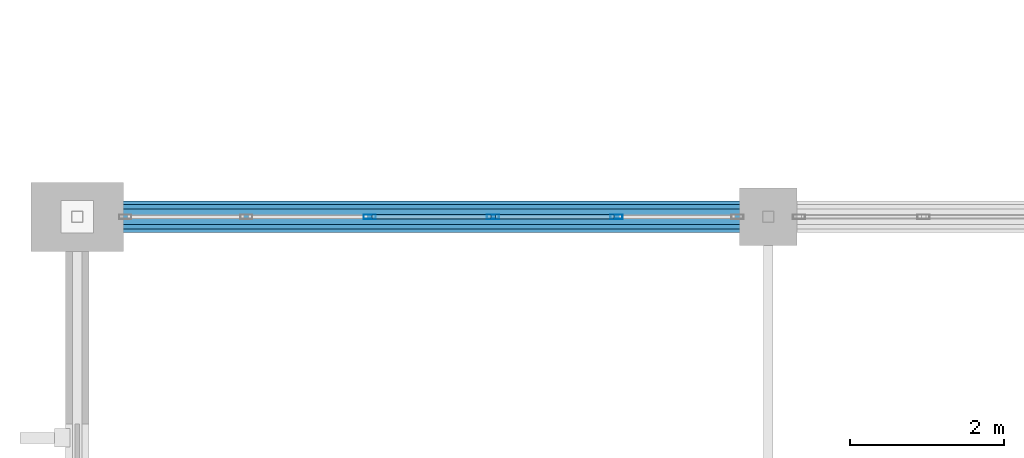
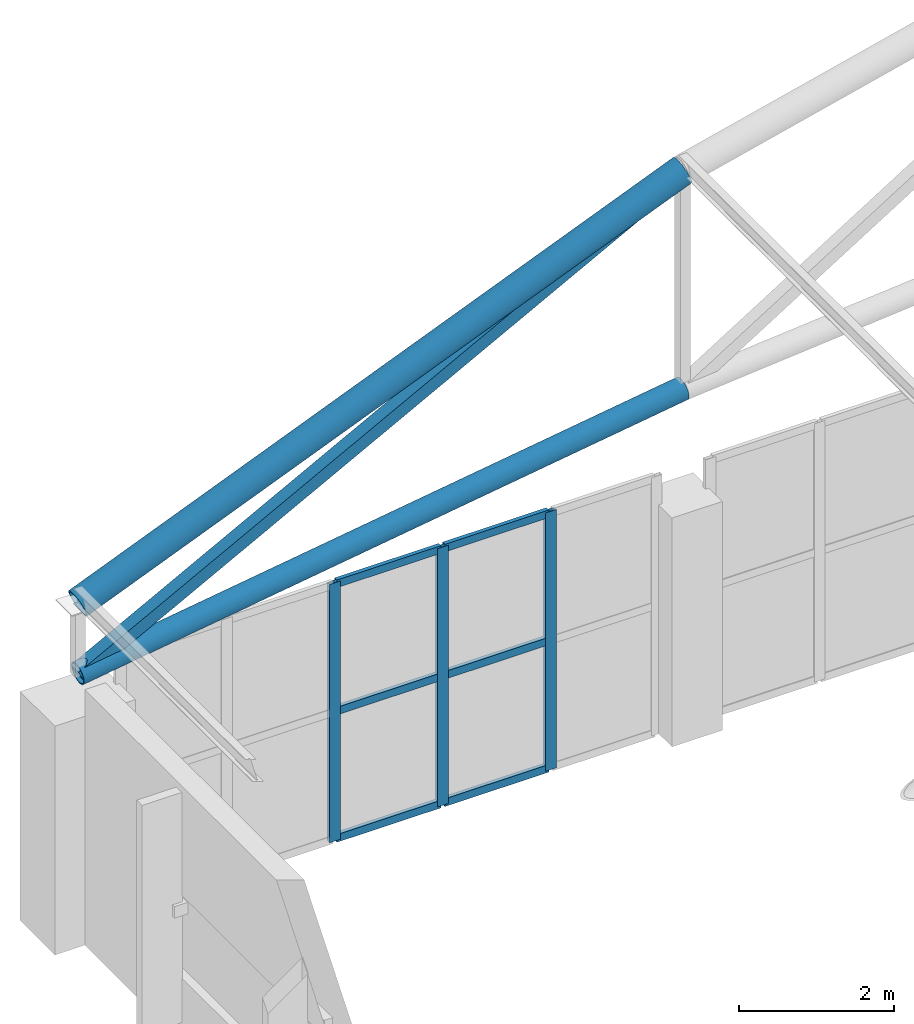
# One storey, part 102 of 167: 12 members, 1 element without a shape of its own.
"""IFC4 building model written with IfcOpenShell, lengths in metres."""

import ifcopenshell
import ifcopenshell.guid

model = None  # the IFC model being written
_history = None  # IfcOwnerHistory: only IFC2X3 demands one
_inside = {}  # id of a spatial element -> (the spatial element, [elements in it])
_under = {}  # id of a project, library or spatial element -> (it, [spatial elements below it])
_declared = {}  # id of a project -> (the project, [libraries it declares])
_typed = {}  # id of a type object -> (the type object, [elements of that type])
_made_of = {}  # id of a material, layer set ... -> (it, [elements and type objects made of it])


def new_model(schema):
    """Start an empty IFC model of exactly this schema.

    Asked for "IFC4X3", IfcOpenShell would pick the latest addendum, in which some entities
    have other attributes; the version numbers below select the first issue.
    IFC2X3 requires an IfcOwnerHistory on every rooted entity: one is made here for all.
    """
    global model, _history
    if schema == "IFC4X3":
        model = ifcopenshell.file(schema_version=(4, 3, 0, 0))
    else:
        model = ifcopenshell.file(schema=schema)
    _inside.clear()
    _under.clear()
    _declared.clear()
    _typed.clear()
    _made_of.clear()
    _history = None
    if model.schema == "IFC2X3":
        org = make("IfcOrganization", Name="unknown")
        user = make(
            "IfcPersonAndOrganization",
            ThePerson=make("IfcPerson", FamilyName="unknown"),
            TheOrganization=org,
        )
        app = make(
            "IfcApplication",
            ApplicationDeveloper=org,
            Version="unknown",
            ApplicationFullName="unknown",
            ApplicationIdentifier="unknown",
        )
        _history = make(
            "IfcOwnerHistory",
            OwningUser=user,
            OwningApplication=app,
            ChangeAction="ADDED",
            CreationDate=0,
        )
    return model


def make(cls, **values):
    """One entity of the class cls with the attributes given. An attribute that is None is left unset."""
    return model.create_entity(
        cls, **{name: value for name, value in values.items() if value is not None}
    )


def rooted(cls, **values):
    """An entity with a GlobalId (a new one), such as an element, a storey or a relation."""
    return make(cls, GlobalId=ifcopenshell.guid.new(), OwnerHistory=_history, **values)


def si_unit(unit_type, name, prefix=None):
    """IfcSIUnit, for example si_unit("LENGTHUNIT", "METRE", prefix="MILLI")."""
    return make("IfcSIUnit", UnitType=unit_type, Prefix=prefix, Name=name)


def assignment(units):
    """IfcUnitAssignment: the units of a project."""
    return None if units is None else make("IfcUnitAssignment", Units=units)


def point(xyz):
    """IfcCartesianPoint."""
    return None if xyz is None else make("IfcCartesianPoint", Coordinates=xyz)


def direction(xyz):
    """IfcDirection."""
    return None if xyz is None else make("IfcDirection", DirectionRatios=xyz)


def frame(location, z_axis=None, x_axis=None):
    """IfcAxis2Placement3D, a coordinate frame: its origin and axes. An axis left out is left unset."""
    return make(
        "IfcAxis2Placement3D",
        Location=point(location),
        Axis=direction(z_axis),
        RefDirection=direction(x_axis),
    )


def frame_2d(location, x_axis=None):
    """IfcAxis2Placement2D, a coordinate frame in the plane: its origin and x axis."""
    return make(
        "IfcAxis2Placement2D", Location=point(location), RefDirection=direction(x_axis)
    )


def origin():
    """The frame at (0, 0, 0) with its axes left unset."""
    return frame((0.0, 0.0, 0.0))


def origin_2d():
    """The frame at (0, 0) in the plane with its x axis left unset."""
    return frame_2d((0.0, 0.0))


def place(relative_to, where):
    """IfcLocalPlacement: puts the frame where relative to a parent placement (None: the world)."""
    return make(
        "IfcLocalPlacement", PlacementRelTo=relative_to, RelativePlacement=where
    )


def context(
    kind, dimensions, precision=None, world=None, true_north=None, identifier=None
):
    """IfcGeometricRepresentationContext, for example the 3D "Model" context."""
    return make(
        "IfcGeometricRepresentationContext",
        ContextIdentifier=identifier,
        ContextType=kind,
        CoordinateSpaceDimension=dimensions,
        Precision=precision,
        WorldCoordinateSystem=world,
        TrueNorth=true_north,
    )


def subcontext(parent, identifier, kind, view, scale=None):
    """IfcGeometricRepresentationSubContext, for example "Body" below "Model"."""
    return make(
        "IfcGeometricRepresentationSubContext",
        ContextIdentifier=identifier,
        ContextType=kind,
        ParentContext=parent,
        TargetScale=scale,
        TargetView=view,
    )


def project(units=None, contexts=None):
    """IfcProject with its units and contexts."""
    return rooted(
        "IfcProject",
        Name="project",
        RepresentationContexts=contexts,
        UnitsInContext=assignment(units),
    )


def spatial(cls, under=None, at=None, **own):
    """A site, building, storey or space (cls), placed at a placement, below another one or the project."""
    s = rooted(cls, ObjectPlacement=at, **own)
    if under is not None:
        _under.setdefault(under.id(), (under, []))[1].append(s)
    return s


def profile(cls, at=None, kind="AREA", **sizes):
    """A parametric profile (cls). Its sizes go by their IFC names, for example OverallWidth=200.0."""
    return make(cls, ProfileType=kind, Position=at, **sizes)


def hollow_rectangle(**sizes):
    """IfcRectangleHollowProfileDef."""
    return profile("IfcRectangleHollowProfileDef", **sizes)


def hollow_circle(**sizes):
    """IfcCircleHollowProfileDef."""
    return profile("IfcCircleHollowProfileDef", **sizes)


def extrude(swept, where, along, depth):
    """IfcExtrudedAreaSolid: the profile swept, set in the frame where, extruded along a direction by depth."""
    return make(
        "IfcExtrudedAreaSolid",
        SweptArea=swept,
        Position=where,
        ExtrudedDirection=direction(along),
        Depth=depth,
    )


def shape(context_of_items, identifier, shape_type, items):
    """IfcShapeRepresentation: the items that make up one representation, for example the "Body"."""
    return make(
        "IfcShapeRepresentation",
        ContextOfItems=context_of_items,
        RepresentationIdentifier=identifier,
        RepresentationType=shape_type,
        Items=items,
    )


def material(Name=None, Category=None):
    """IfcMaterial."""
    return make("IfcMaterial", Name=Name, Category=Category)


def layer(
    of_material, thickness, ventilated=None, Name=None, Category=None, Priority=None
):
    """IfcMaterialLayer: one layer of a wall or slab, of a material (None: an air gap)."""
    return make(
        "IfcMaterialLayer",
        Material=of_material,
        LayerThickness=thickness,
        IsVentilated=ventilated,
        Name=Name,
        Category=Category,
        Priority=Priority,
    )


def layer_set(layers, Name=None):
    """IfcMaterialLayerSet."""
    return make("IfcMaterialLayerSet", MaterialLayers=layers, LayerSetName=Name)


def material_profile(
    of_material, cross_section, Name=None, Category=None, Priority=None
):
    """IfcMaterialProfile: a cross section and its material."""
    return make(
        "IfcMaterialProfile",
        Name=Name,
        Material=of_material,
        Profile=cross_section,
        Priority=Priority,
        Category=Category,
    )


def profile_set(profiles, Name=None, composite=None):
    """IfcMaterialProfileSet."""
    return make(
        "IfcMaterialProfileSet",
        Name=Name,
        MaterialProfiles=profiles,
        CompositeProfile=composite,
    )


def made_of(thing, what):
    """Note that an element or type object is made of a material, layer set ...; save() writes the relation."""
    if what is not None:
        _made_of.setdefault(what.id(), (what, []))[1].append(thing)
    return thing


def type_object(cls, material=None, **own):
    """A type object (cls), such as IfcWallType, which elements share."""
    return made_of(rooted(cls, **own), material)


def element(
    cls,
    number,
    at=None,
    inside=None,
    cuts=None,
    type_object=None,
    material=None,
    context=None,
    identifier="Body",
    shape_type=None,
    held_by="IfcProductDefinitionShape",
    body=None,
    shapes=None,
    **own,
):
    """One element of the class cls, such as IfcWall. Its Tag is "e" and its number.

    at: its placement. inside: the storey or other place that contains it. cuts: it is an
    opening in that element (IfcRelVoidsElement). A single representation is given by context,
    identifier, shape_type and body (its items); several are given by shapes. held_by: the class
    of the entity that holds the representations. save() writes the other relations.
    """
    e = rooted(cls, Tag="e%d" % number, ObjectPlacement=at, **own)
    if body is not None:
        shapes = [shape(context, identifier, shape_type, body)]
    if shapes is not None:
        e.Representation = make(held_by, Representations=shapes)
    if inside is not None:
        _inside.setdefault(inside.id(), (inside, []))[1].append(e)
    if cuts is not None:
        rooted(
            "IfcRelVoidsElement", RelatingBuildingElement=cuts, RelatedOpeningElement=e
        )
    if type_object is not None:
        _typed.setdefault(type_object.id(), (type_object, []))[1].append(e)
    return made_of(e, material)


def aggregate(whole, parts):
    """IfcRelAggregates: a whole, such as a stair, and the parts it consists of."""
    return rooted("IfcRelAggregates", RelatingObject=whole, RelatedObjects=parts)


def save(model, path):
    """Write the relations noted so far, then the file.

    IfcRelAggregates (storeys below a building ...), IfcRelContainedInSpatialStructure (elements
    in a storey), IfcRelDefinesByType, IfcRelAssociatesMaterial and IfcRelDeclares: one each for
    every whole, place, type object, material and project.
    """
    for whole, parts in _under.values():
        aggregate(whole, parts)
    for where, things in _inside.values():
        rooted(
            "IfcRelContainedInSpatialStructure",
            RelatedElements=things,
            RelatingStructure=where,
        )
    for kind, things in _typed.values():
        rooted("IfcRelDefinesByType", RelatedObjects=things, RelatingType=kind)
    for what, things in _made_of.values():
        rooted("IfcRelAssociatesMaterial", RelatedObjects=things, RelatingMaterial=what)
    for by, libraries in _declared.values():
        rooted("IfcRelDeclares", RelatingContext=by, RelatedDefinitions=libraries)
    model.write(path)


model = new_model("IFC4")

# Units and contexts
model_context = context("Model", 3, precision=1e-05, world=origin(), true_north=direction((0.0, 1.0)))
body_context = subcontext(model_context, "Body", "Model", "MODEL_VIEW")
ifc_project = project(units=[si_unit("LENGTHUNIT", "METRE"), si_unit("AREAUNIT", "SQUARE_METRE"), si_unit("VOLUMEUNIT", "CUBIC_METRE"), si_unit("PLANEANGLEUNIT", "RADIAN"), si_unit("MASSUNIT", "GRAM", prefix="KILO")], contexts=[model_context])

# Site, building, storey
site_placement = place(None, origin())
site = spatial("IfcSite", under=ifc_project, at=site_placement, CompositionType="ELEMENT")
building_placement = place(site_placement, origin())
building = spatial("IfcBuilding", under=site, at=building_placement, Name="Dornveld Trade and Exhibition Forum", CompositionType="ELEMENT")
storey_placement = place(building_placement, frame((0.0, 0.0, 16.800048828125)))
storey = spatial("IfcBuildingStorey", under=building, at=storey_placement, Name="L03", CompositionType="ELEMENT", Elevation=16.800048828125)

# Curtain wall, members
ifc_material_1 = material(Name="Dark-bronze anodised aluminium and low-E glass", Category="aluminium")
ifc_layer = layer(ifc_material_1, 0.18408203125)
ifc_layer_set = layer_set([ifc_layer], Name="Dark-bronze anodised aluminium and low-E glass")
curtain_wall_type = type_object("IfcCurtainWallType", Name="CW-SYS-14", PredefinedType="USERDEFINED", material=ifc_layer_set)
curtain_wall_placement = place(storey_placement, origin())
curtain_wall = element("IfcCurtainWall", 1, at=curtain_wall_placement, inside=storey, type_object=curtain_wall_type, Name="L03 unitised curtain wall 32", ObjectType="UNITISED_CURTAIN_WALL", PredefinedType="USERDEFINED")
ifc_material_2 = material(Name="Dark-bronze anodised aluminium", Category="aluminium")
ifc_material_profile_1 = material_profile(ifc_material_2, hollow_rectangle(XDim=0.06005859375, YDim=0.159912109375, WallThickness=0.00390625, at=origin_2d()), Name="RHS 160x60x4")
ifc_profile_set_1 = profile_set([ifc_material_profile_1], Name="Dark-bronze anodised aluminium")
member_type_1 = type_object("IfcMemberType", Name="CW-MUL-160", PredefinedType="MULLION", material=ifc_profile_set_1)
member_1_placement = place(storey_placement, frame((34.0224609375, 135.0, -0.004150390625), z_axis=(0.0, 0.0, 1.0), x_axis=(0.0, -1.0, 0.0)))
member_1 = element("IfcMember", 2, at=member_1_placement, type_object=member_type_1, Name="CW-14 mullion 2", PredefinedType="MULLION", context=body_context, shape_type="SweptSolid", body=[
    extrude(hollow_rectangle(XDim=0.06005859375, YDim=0.159912109375, WallThickness=0.00390625, at=origin_2d()), origin(), (0.0, 0.0, 1.0), 4.064208984375),
])
member_2_placement = place(storey_placement, frame((32.415771484375, 135.0, -0.004150390625), z_axis=(0.0, 0.0, 1.0), x_axis=(0.0, -1.0, 0.0)))
member_2 = element("IfcMember", 3, at=member_2_placement, type_object=member_type_1, Name="CW-14 mullion 3", PredefinedType="MULLION", context=body_context, shape_type="SweptSolid", body=[
    extrude(hollow_rectangle(XDim=0.06005859375, YDim=0.159912109375, WallThickness=0.00390625, at=origin_2d()), origin(), (0.0, 0.0, 1.0), 4.064208984375),
])
member_3_placement = place(storey_placement, frame((30.80908203125, 135.0, -0.004150390625), z_axis=(0.0, 0.0, 1.0), x_axis=(0.0, -1.0, 0.0)))
member_3 = element("IfcMember", 4, at=member_3_placement, type_object=member_type_1, Name="CW-14 mullion 4", PredefinedType="MULLION", context=body_context, shape_type="SweptSolid", body=[
    extrude(hollow_rectangle(XDim=0.06005859375, YDim=0.159912109375, WallThickness=0.00390625, at=origin_2d()), origin(), (0.0, 0.0, 1.0), 4.064208984375),
])
ifc_material_3 = material(Name="Dark-bronze anodised aluminium", Category="aluminium")
ifc_material_profile_2 = material_profile(ifc_material_3, hollow_rectangle(XDim=0.06005859375, YDim=0.1201171875, WallThickness=0.00390625, at=origin_2d()), Name="RHS 120x60x4")
ifc_profile_set_2 = profile_set([ifc_material_profile_2], Name="Dark-bronze anodised aluminium")
member_type_2 = type_object("IfcMemberType", Name="CW-TRN-120", PredefinedType="USERDEFINED", material=ifc_profile_set_2)
member_4_placement = place(storey_placement, frame((33.992431640625, 135.0, 0.02587890625), z_axis=(-1.0, 0.0, 0.0), x_axis=(0.0, -1.0, 0.0)))
member_4 = element("IfcMember", 5, at=member_4_placement, type_object=member_type_2, Name="CW-14 transom 2.1", ObjectType="TRANSOM", PredefinedType="USERDEFINED", context=body_context, shape_type="SweptSolid", body=[
    extrude(hollow_rectangle(XDim=0.06005859375, YDim=0.1201171875, WallThickness=0.00390625, at=origin_2d()), origin(), (0.0, 0.0, 1.0), 1.546630859375),
])
member_5_placement = place(storey_placement, frame((33.992431640625, 135.0, 2.02783203125), z_axis=(-1.0, 0.0, 0.0), x_axis=(0.0, -1.0, 0.0)))
member_5 = element("IfcMember", 6, at=member_5_placement, type_object=member_type_2, Name="CW-14 transom 2.2", ObjectType="TRANSOM", PredefinedType="USERDEFINED", context=body_context, shape_type="SweptSolid", body=[
    extrude(hollow_rectangle(XDim=0.06005859375, YDim=0.1201171875, WallThickness=0.00390625, at=origin_2d()), origin(), (0.0, 0.0, 1.0), 1.546630859375),
])
member_6_placement = place(storey_placement, frame((33.992431640625, 135.0, 4.030029296875), z_axis=(-1.0, 0.0, 0.0), x_axis=(0.0, -1.0, 0.0)))
member_6 = element("IfcMember", 7, at=member_6_placement, type_object=member_type_2, Name="CW-14 transom 2.3", ObjectType="TRANSOM", PredefinedType="USERDEFINED", context=body_context, shape_type="SweptSolid", body=[
    extrude(hollow_rectangle(XDim=0.06005859375, YDim=0.1201171875, WallThickness=0.00390625, at=origin_2d()), origin(), (0.0, 0.0, 1.0), 1.546630859375),
])
member_7_placement = place(storey_placement, frame((32.3857421875, 135.0, 0.02587890625), z_axis=(-1.0, 0.0, 0.0), x_axis=(0.0, -1.0, 0.0)))
member_7 = element("IfcMember", 8, at=member_7_placement, type_object=member_type_2, Name="CW-14 transom 3.1", ObjectType="TRANSOM", PredefinedType="USERDEFINED", context=body_context, shape_type="SweptSolid", body=[
    extrude(hollow_rectangle(XDim=0.06005859375, YDim=0.1201171875, WallThickness=0.00390625, at=origin_2d()), origin(), (0.0, 0.0, 1.0), 1.546630859375),
])
member_8_placement = place(storey_placement, frame((32.3857421875, 135.0, 2.02783203125), z_axis=(-1.0, 0.0, 0.0), x_axis=(0.0, -1.0, 0.0)))
member_8 = element("IfcMember", 9, at=member_8_placement, type_object=member_type_2, Name="CW-14 transom 3.2", ObjectType="TRANSOM", PredefinedType="USERDEFINED", context=body_context, shape_type="SweptSolid", body=[
    extrude(hollow_rectangle(XDim=0.06005859375, YDim=0.1201171875, WallThickness=0.00390625, at=origin_2d()), origin(), (0.0, 0.0, 1.0), 1.546630859375),
])
member_9_placement = place(storey_placement, frame((32.3857421875, 135.0, 4.030029296875), z_axis=(-1.0, 0.0, 0.0), x_axis=(0.0, -1.0, 0.0)))
member_9 = element("IfcMember", 10, at=member_9_placement, type_object=member_type_2, Name="CW-14 transom 3.3", ObjectType="TRANSOM", PredefinedType="USERDEFINED", context=body_context, shape_type="SweptSolid", body=[
    extrude(hollow_rectangle(XDim=0.06005859375, YDim=0.1201171875, WallThickness=0.00390625, at=origin_2d()), origin(), (0.0, 0.0, 1.0), 1.546630859375),
])
aggregate(curtain_wall, [member_1, member_2, member_3, member_4, member_5, member_6, member_7, member_8, member_9])

# Members
ifc_material_4 = material(Name="Steel S355J2", Category="steel")
ifc_material_profile_3 = material_profile(ifc_material_4, hollow_circle(Radius=0.161865234375, WallThickness=0.01611328125, at=origin_2d()), Name="CHS 323.9x16")
ifc_profile_set_3 = profile_set([ifc_material_profile_3], Name="Steel S355J2")
member_type_3 = type_object("IfcMemberType", Name="MEM-ARCH-BC", PredefinedType="CHORD", material=ifc_profile_set_3)
member_10_placement = place(storey_placement, frame((27.0, 135.0, 3.949951171875), z_axis=(0.989204758987, 0.0, 0.146539908551), x_axis=(0.0, 1.0, 0.0)))
element("IfcMember", 11, at=member_10_placement, inside=storey, type_object=member_type_3, Name="H3 truss 12 tie chord 1", PredefinedType="CHORD", context=body_context, shape_type="SweptSolid", body=[
    extrude(hollow_circle(Radius=0.161865234375, WallThickness=0.01611328125, at=origin_2d()), origin(), (0.0, 0.0, 1.0), 9.09814453125),
])
ifc_material_5 = material(Name="Steel S355J2", Category="steel")
ifc_material_profile_4 = material_profile(ifc_material_5, hollow_circle(Radius=0.203125, WallThickness=0.02001953125, at=origin_2d()), Name="CHS 406.4x20")
ifc_profile_set_4 = profile_set([ifc_material_profile_4], Name="Steel S355J2")
member_type_4 = type_object("IfcMemberType", Name="MEM-ARCH-TC", PredefinedType="CHORD", material=ifc_profile_set_4)
member_11_placement = place(storey_placement, frame((27.0, 135.0, 5.050048828125), z_axis=(0.926098211611, 0.0, 0.377282523383), x_axis=(0.0, 1.0, 0.0)))
element("IfcMember", 12, at=member_11_placement, inside=storey, type_object=member_type_4, Name="H3 truss 12 top chord 1", PredefinedType="CHORD", context=body_context, shape_type="SweptSolid", body=[
    extrude(hollow_circle(Radius=0.203125, WallThickness=0.02001953125, at=origin_2d()), origin(), (0.0, 0.0, 1.0), 9.71826171875),
])
ifc_material_6 = material(Name="Steel S355J2", Category="steel")
ifc_material_profile_5 = material_profile(ifc_material_6, hollow_rectangle(XDim=0.199951171875, YDim=0.199951171875, WallThickness=0.010009765625, at=origin_2d()), Name="SHS 200x200x10")
ifc_profile_set_5 = profile_set([ifc_material_profile_5], Name="Steel S355J2")
member_type_5 = type_object("IfcMemberType", Name="MEM-ARCH-WEB", PredefinedType="BRACE", material=ifc_profile_set_5)
member_12_placement = place(storey_placement, frame((27.0, 135.0, 3.949951171875), z_axis=(0.883710934211, 0.0, 0.468033102201), x_axis=(0.0, 1.0, 0.0)))
element("IfcMember", 13, at=member_12_placement, inside=storey, type_object=member_type_5, Name="H3 truss 12 web 1", PredefinedType="BRACE", context=body_context, shape_type="SweptSolid", body=[
    extrude(hollow_rectangle(XDim=0.199951171875, YDim=0.199951171875, WallThickness=0.010009765625, at=origin_2d()), origin(), (0.0, 0.0, 1.0), 10.184326171875),
])

save(model, "model.ifc")
